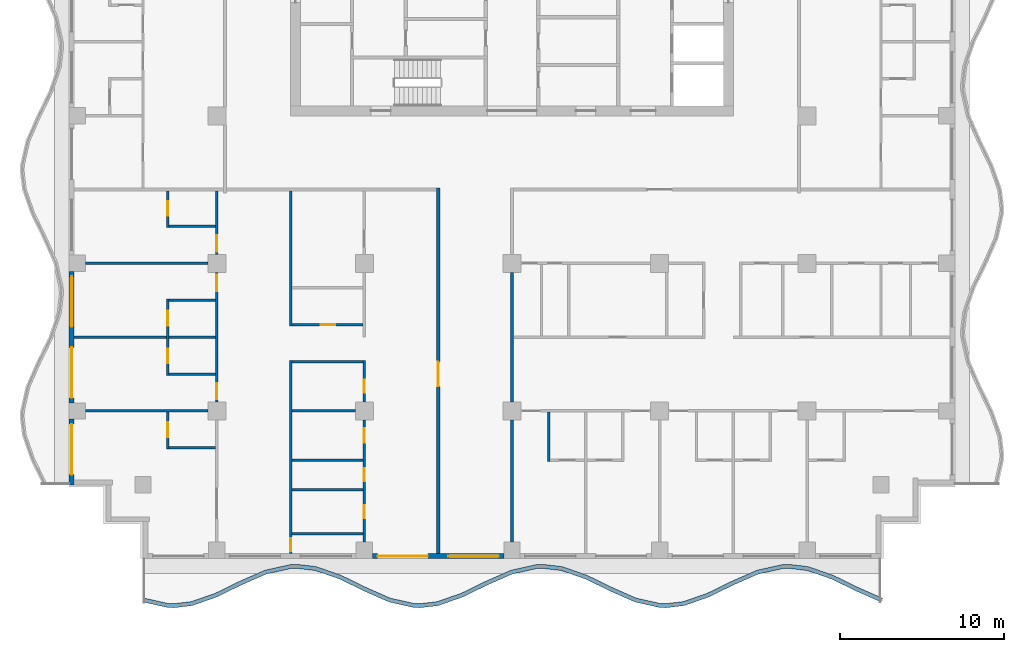
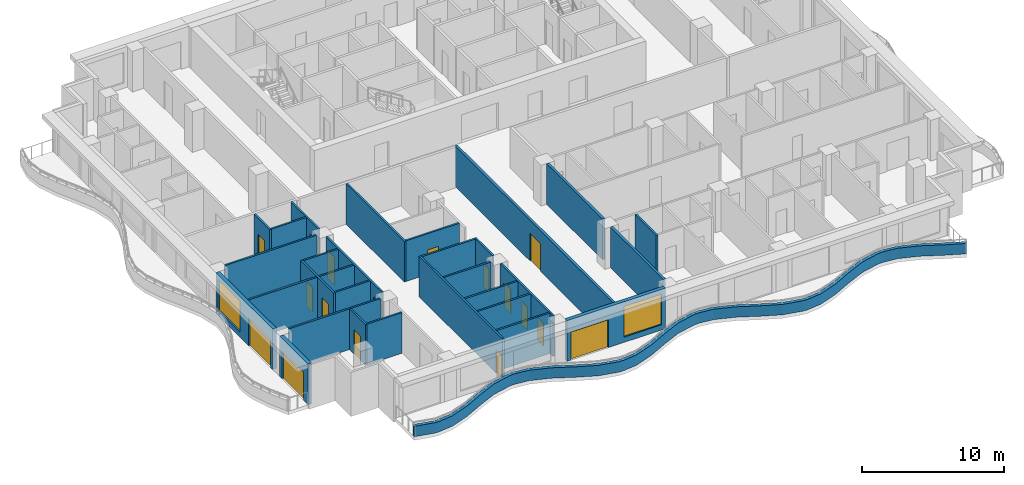
# One storey, part 2 of 12: 31 walls, 17 doors, 2 windows, 19 openings.
"""IFC4 building model written with IfcOpenShell, lengths in metres."""

from ifc_helpers import new_model, si_unit, direction, frame, frame_2d, origin, place, context, subcontext, project, spatial, polyline, rectangle, outline, extrude, material, layer, layer_set, type_object, element, fill, save


model = new_model("IFC4")

# Units and contexts
model_context = context("Model", 3, precision=1e-05, world=origin(), true_north=direction((0.0, 1.0)))
body_context = subcontext(model_context, "Body", "Model", "MODEL_VIEW")
ifc_project = project(units=[si_unit("LENGTHUNIT", "METRE"), si_unit("AREAUNIT", "SQUARE_METRE"), si_unit("VOLUMEUNIT", "CUBIC_METRE"), si_unit("PLANEANGLEUNIT", "RADIAN"), si_unit("MASSUNIT", "GRAM", prefix="KILO")], contexts=[model_context])

# Site, building, storey
site_placement = place(None, origin())
site = spatial("IfcSite", under=ifc_project, at=site_placement, CompositionType="ELEMENT")
building_placement = place(site_placement, origin())
building = spatial("IfcBuilding", under=site, at=building_placement, Name="Orbiselva Terraces", CompositionType="ELEMENT")
storey_placement = place(building_placement, frame((0.0, 0.0, 214.8)))
storey = spatial("IfcBuildingStorey", under=building, at=storey_placement, Name="L54", CompositionType="ELEMENT", Elevation=214.8)

# Wall
ifc_material_1 = material(Name="Concrete C40/50", Category="concrete")
ifc_layer_1 = layer(ifc_material_1, 0.25)
ifc_layer_set_1 = layer_set([ifc_layer_1], Name="Concrete C40/50")
wall_type_1 = type_object("IfcWallType", Name="ENV-PLANTER-250x900", PredefinedType="USERDEFINED", material=ifc_layer_set_1)
wall_1_placement = place(storey_placement, origin())
element("IfcWall", 1, at=wall_1_placement, inside=storey, type_object=wall_type_1, Name="Balcony planter L54 S", ObjectType="PLANTER", PredefinedType="USERDEFINED", context=body_context, shape_type="SweptSolid", body=[
    extrude(outline(polyline([(-22.5, -25.148528), (-21.0, -25.485226), (-20.625, -25.5), (-19.5, -25.369208), (-18.0, -24.844789), (-16.5, -24.112279), (-15.0, -23.451472), (-13.5, -23.114774), (-13.125, -23.1), (-12.0, -23.230792), (-10.5, -23.755211), (-9.0, -24.487721), (-7.5, -25.148528), (-6.0, -25.485226), (-5.625, -25.5), (-4.5, -25.369208), (-3.0, -24.844789), (-1.5, -24.112279), (0.0, -23.451472), (1.5, -23.114774), (1.875, -23.1), (3.0, -23.230792), (4.5, -23.755211), (6.0, -24.487721), (7.5, -25.148528), (9.0, -25.485226), (9.375, -25.5), (10.5, -25.369208), (12.0, -24.844789), (13.5, -24.112279), (15.0, -23.451472), (16.5, -23.114774), (16.875, -23.1), (18.0, -23.230792), (19.5, -23.755211), (21.0, -24.487721), (22.5, -25.148528), (22.600788, -24.919745), (21.105286, -24.260919), (19.59644, -23.524089), (18.056371, -22.985662), (16.884572, -22.849429), (16.467435, -22.865863), (14.921492, -23.212874), (13.394714, -23.885477), (11.90356, -24.613667), (10.443629, -25.124078), (9.365428, -25.249429), (9.032565, -25.236315), (7.578508, -24.90993), (6.105286, -24.260919), (4.59644, -23.524089), (3.056371, -22.985662), (1.884572, -22.849429), (1.467435, -22.865863), (-0.078508, -23.212874), (-1.605286, -23.885477), (-3.09644, -24.613667), (-4.556371, -25.124078), (-5.634572, -25.249429), (-5.967435, -25.236315), (-7.421492, -24.90993), (-8.894714, -24.260919), (-10.40356, -23.524089), (-11.943629, -22.985662), (-13.115428, -22.849429), (-13.532565, -22.865863), (-15.078508, -23.212874), (-16.605286, -23.885477), (-18.09644, -24.613667), (-19.556371, -25.124078), (-20.634572, -25.249429), (-20.967435, -25.236315), (-22.445246, -24.904598), (-22.5, -25.148528)])), origin(), (0.0, 0.0, 1.0), 0.9),
])

# Wall, openings, door, window
ifc_material_2 = material(Name="Terracotta cladding on masonry backing", Category="masonry")
ifc_layer_2 = layer(ifc_material_2, 0.3)
ifc_layer_set_2 = layer_set([ifc_layer_2], Name="Terracotta cladding on masonry backing")
wall_type_2 = type_object("IfcWallType", Name="ENV-WALL-TERRACOTTA-300", PredefinedType="SOLIDWALL", material=ifc_layer_set_2)
wall_2_placement = place(storey_placement, frame((-0.5, -22.35, 0.0), z_axis=(0.0, 0.0, 1.0), x_axis=(-1.0, 0.0, 0.0)))
wall_2 = element("IfcWall", 2, at=wall_2_placement, inside=storey, type_object=wall_type_2, Name="Facade wall L54 S", PredefinedType="SOLIDWALL", context=body_context, shape_type="SweptSolid", body=[
    extrude(rectangle(XDim=8.0, YDim=0.3, at=frame_2d((4.0, 0.0))), origin(), (0.0, 0.0, 1.0), 3.5),
])
opening_1_placement = place(wall_2_placement, frame((4.625, 0.0, 0.0)))
opening_1 = element("IfcOpeningElement", 3, at=opening_1_placement, cuts=wall_2, Name="Opening Z4-C-E18", PredefinedType="OPENING", context=body_context, shape_type="SweptSolid", body=[
    extrude(rectangle(XDim=3.075, YDim=2.4, at=frame_2d((1.5375, 1.2))), frame((0.0, 0.16, 0.0), z_axis=(0.0, -1.0, 0.0), x_axis=(1.0, 0.0, 0.0)), (0.0, 0.0, 1.0), 0.32),
])
opening_2_placement = place(wall_2_placement, frame((0.3, 0.0, 0.45)))
opening_2 = element("IfcOpeningElement", 4, at=opening_2_placement, cuts=wall_2, Name="Opening WN15", PredefinedType="OPENING", context=body_context, shape_type="SweptSolid", body=[
    extrude(rectangle(XDim=3.075, YDim=2.65, at=frame_2d((1.5375, 1.325))), frame((0.0, 0.16, 0.0), z_axis=(0.0, -1.0, 0.0), x_axis=(1.0, 0.0, 0.0)), (0.0, 0.0, 1.0), 0.32),
])
ifc_material_3 = material(Name="Clear low-e glazing in aluminium frame", Category="aluminium")
door_type_1 = type_object("IfcDoorType", Name="BALCONY DOOR 3075 X 2400", OperationType="DOUBLE_DOOR_SLIDING", PredefinedType="DOOR", material=ifc_material_3)
door_1_placement = place(opening_1_placement, origin())
door_1 = element("IfcDoor", 5, at=door_1_placement, inside=storey, type_object=door_type_1, Name="Z4-C-E18", OperationType="SINGLE_SWING_LEFT", OverallHeight=2.4, OverallWidth=3.075, PredefinedType="DOOR", context=body_context, shape_type="SweptSolid", body=[
    extrude(rectangle(XDim=3.075, YDim=2.4, at=frame_2d((1.5375, 1.2))), frame((0.0, 0.025, 0.0), z_axis=(0.0, -1.0, 0.0), x_axis=(1.0, 0.0, 0.0)), (0.0, 0.0, 1.0), 0.05),
])
fill(opening_1, door_1)
window_type = type_object("IfcWindowType", Name="WINDOW 3075 X 2650 S450", PartitioningType="TRIPLE_PANEL_VERTICAL", PredefinedType="WINDOW", material=ifc_material_3)
window_1_placement = place(opening_2_placement, origin())
window_1 = element("IfcWindow", 6, at=window_1_placement, inside=storey, type_object=window_type, Name="Window L54 S", OverallHeight=2.65, OverallWidth=3.075, PartitioningType="SINGLE_PANEL", PredefinedType="WINDOW", context=body_context, shape_type="SweptSolid", body=[
    extrude(rectangle(XDim=3.075, YDim=2.65, at=frame_2d((1.5375, 1.325))), frame((0.0, 0.03, 0.0), z_axis=(0.0, -1.0, 0.0), x_axis=(1.0, 0.0, 0.0)), (0.0, 0.0, 1.0), 0.06),
])
fill(opening_2, window_1)

wall_3_placement = place(storey_placement, frame((-26.85, -13.0, 0.0), z_axis=(0.0, 0.0, 1.0), x_axis=(0.0, 1.0, 0.0)))
wall_3 = element("IfcWall", 7, at=wall_3_placement, inside=storey, type_object=wall_type_2, Name="Facade wall L54 W", PredefinedType="SOLIDWALL", context=body_context, shape_type="SweptSolid", body=[
    extrude(rectangle(XDim=8.0, YDim=0.3, at=frame_2d((4.0, 0.0))), origin(), (0.0, 0.0, 1.0), 3.5),
])
opening_3_placement = place(wall_3_placement, frame((4.625, 0.0, 0.45)))
opening_3 = element("IfcOpeningElement", 8, at=opening_3_placement, cuts=wall_3, Name="Opening WN15", PredefinedType="OPENING", context=body_context, shape_type="SweptSolid", body=[
    extrude(rectangle(XDim=3.075, YDim=2.65, at=frame_2d((1.5375, 1.325))), frame((0.0, 0.16, 0.0), z_axis=(0.0, -1.0, 0.0), x_axis=(1.0, 0.0, 0.0)), (0.0, 0.0, 1.0), 0.32),
])
opening_4_placement = place(wall_3_placement, frame((0.3, 0.0, 0.0)))
opening_4 = element("IfcOpeningElement", 9, at=opening_4_placement, cuts=wall_3, Name="Opening Z4-C-E23", PredefinedType="OPENING", context=body_context, shape_type="SweptSolid", body=[
    extrude(rectangle(XDim=3.075, YDim=2.4, at=frame_2d((1.5375, 1.2))), frame((0.0, 0.16, 0.0), z_axis=(0.0, -1.0, 0.0), x_axis=(1.0, 0.0, 0.0)), (0.0, 0.0, 1.0), 0.32),
])
door_2_placement = place(opening_4_placement, origin())
door_2 = element("IfcDoor", 10, at=door_2_placement, inside=storey, type_object=door_type_1, Name="Z4-C-E23", OperationType="SINGLE_SWING_LEFT", OverallHeight=2.4, OverallWidth=3.075, PredefinedType="DOOR", context=body_context, shape_type="SweptSolid", body=[
    extrude(rectangle(XDim=3.075, YDim=2.4, at=frame_2d((1.5375, 1.2))), frame((0.0, 0.025, 0.0), z_axis=(0.0, -1.0, 0.0), x_axis=(1.0, 0.0, 0.0)), (0.0, 0.0, 1.0), 0.05),
])
fill(opening_4, door_2)
window_2_placement = place(opening_3_placement, origin())
window_2 = element("IfcWindow", 11, at=window_2_placement, inside=storey, type_object=window_type, Name="Window L54 W", OverallHeight=2.65, OverallWidth=3.075, PartitioningType="SINGLE_PANEL", PredefinedType="WINDOW", context=body_context, shape_type="SweptSolid", body=[
    extrude(rectangle(XDim=3.075, YDim=2.65, at=frame_2d((1.5375, 1.325))), frame((0.0, 0.03, 0.0), z_axis=(0.0, -1.0, 0.0), x_axis=(1.0, 0.0, 0.0)), (0.0, 0.0, 1.0), 0.06),
])
fill(opening_3, window_2)

# Wall, opening, door
wall_4_placement = place(storey_placement, frame((-26.85, -18.0, 0.0), z_axis=(0.0, 0.0, 1.0), x_axis=(0.0, 1.0, 0.0)))
wall_4 = element("IfcWall", 12, at=wall_4_placement, inside=storey, type_object=wall_type_2, Name="Facade wall L54 W", PredefinedType="SOLIDWALL", context=body_context, shape_type="SweptSolid", body=[
    extrude(rectangle(XDim=4.0, YDim=0.3, at=frame_2d((2.0, 0.0))), origin(), (0.0, 0.0, 1.0), 3.5),
])
opening_5_placement = place(wall_4_placement, frame((0.625, 0.0, 0.0)))
opening_5 = element("IfcOpeningElement", 13, at=opening_5_placement, cuts=wall_4, Name="Opening Z4-C-E12", PredefinedType="OPENING", context=body_context, shape_type="SweptSolid", body=[
    extrude(rectangle(XDim=3.075, YDim=2.4, at=frame_2d((1.5375, 1.2))), frame((0.0, 0.16, 0.0), z_axis=(0.0, -1.0, 0.0), x_axis=(1.0, 0.0, 0.0)), (0.0, 0.0, 1.0), 0.32),
])
door_3_placement = place(opening_5_placement, origin())
door_3 = element("IfcDoor", 14, at=door_3_placement, inside=storey, type_object=door_type_1, Name="Z4-C-E12", OperationType="SINGLE_SWING_LEFT", OverallHeight=2.4, OverallWidth=3.075, PredefinedType="DOOR", context=body_context, shape_type="SweptSolid", body=[
    extrude(rectangle(XDim=3.075, YDim=2.4, at=frame_2d((1.5375, 1.2))), frame((0.0, 0.025, 0.0), z_axis=(0.0, -1.0, 0.0), x_axis=(1.0, 0.0, 0.0)), (0.0, 0.0, 1.0), 0.05),
])
fill(opening_5, door_3)

ifc_material_4 = material(Name="Plasterboard on steel stud partition", Category="steel")
ifc_layer_3 = layer(ifc_material_4, 0.2)
ifc_layer_set_3 = layer_set([ifc_layer_3], Name="Plasterboard on steel stud partition")
wall_type_3 = type_object("IfcWallType", Name="UNIT-ENTRANCE-WALL-200", PredefinedType="PARTITIONING", material=ifc_layer_set_3)
wall_5_placement = place(storey_placement, frame((-4.5, -22.2, 0.0), z_axis=(0.0, 0.0, 1.0), x_axis=(0.0, 1.0, 0.0)))
wall_5 = element("IfcWall", 15, at=wall_5_placement, inside=storey, type_object=wall_type_3, Name="PARTITION L54-068", PredefinedType="PARTITIONING", context=body_context, shape_type="SweptSolid", body=[
    extrude(rectangle(XDim=22.3, YDim=0.2, at=frame_2d((11.15, 0.0))), origin(), (0.0, 0.0, 1.0), 3.5),
])
opening_6_placement = place(wall_5_placement, frame((10.2, 0.0, 0.0)))
opening_6 = element("IfcOpeningElement", 16, at=opening_6_placement, cuts=wall_5, Name="Opening Z4-C-18", PredefinedType="OPENING", context=body_context, shape_type="SweptSolid", body=[
    extrude(rectangle(XDim=1.5, YDim=2.4, at=frame_2d((0.75, 1.2))), frame((0.0, 0.11, 0.0), z_axis=(0.0, -1.0, 0.0), x_axis=(1.0, 0.0, 0.0)), (0.0, 0.0, 1.0), 0.22),
])
ifc_material_5 = material(Name="Painted timber door leaf", Category="wood")
door_type_2 = type_object("IfcDoorType", Name="ENTRANCE DOUBLE DOOR 1500", OperationType="NOTDEFINED", PredefinedType="DOOR", material=ifc_material_5)
door_4_placement = place(opening_6_placement, origin())
door_4 = element("IfcDoor", 17, at=door_4_placement, inside=storey, type_object=door_type_2, Name="Z4-C-18", OperationType="DOUBLE_DOOR_SINGLE_SWING", OverallHeight=2.4, OverallWidth=1.5, PredefinedType="DOOR", context=body_context, shape_type="SweptSolid", body=[
    extrude(rectangle(XDim=1.5, YDim=2.4, at=frame_2d((0.75, 1.2))), frame((0.0, 0.025, 0.0), z_axis=(0.0, -1.0, 0.0), x_axis=(1.0, 0.0, 0.0)), (0.0, 0.0, 1.0), 0.05),
])
fill(opening_6, door_4)

# Walls
wall_6_placement = place(storey_placement, frame((0.0, -21.5, 0.0), z_axis=(0.0, 0.0, 1.0), x_axis=(0.0, 1.0, 0.0)))
element("IfcWall", 18, at=wall_6_placement, inside=storey, type_object=wall_type_3, Name="PARTITION L54-069", PredefinedType="PARTITIONING", context=body_context, shape_type="SweptSolid", body=[
    extrude(rectangle(XDim=7.45, YDim=0.2, at=frame_2d((3.725, 0.0))), origin(), (0.0, 0.0, 1.0), 3.5),
])
wall_7_placement = place(storey_placement, frame((0.0, -12.95, 0.0), z_axis=(0.0, 0.0, 1.0), x_axis=(0.0, 1.0, 0.0)))
element("IfcWall", 19, at=wall_7_placement, inside=storey, type_object=wall_type_3, Name="PARTITION L54-070", PredefinedType="PARTITIONING", context=body_context, shape_type="SweptSolid", body=[
    extrude(rectangle(XDim=7.9, YDim=0.2, at=frame_2d((3.95, 0.0))), origin(), (0.0, 0.0, 1.0), 3.5),
])
ifc_layer_4 = layer(ifc_material_4, 0.15)
ifc_layer_set_4 = layer_set([ifc_layer_4], Name="Plasterboard on steel stud partition")
wall_type_4 = type_object("IfcWallType", Name="UNIT-PARTITION-150", PredefinedType="PARTITIONING", material=ifc_layer_set_4)
for number, where, z_axis, x_axis, name in (
    (20, (-13.425, -21.0, 0.0), (0.0, 0.0, 1.0), (1.0, 0.0, 0.0), "PARTITION L54-001"),
    (21, (-13.425, -18.3, 0.0), (0.0, 0.0, 1.0), (1.0, 0.0, 0.0), "PARTITION L54-002"),
    (22, (-13.425, -16.5, 0.0), (0.0, 0.0, 1.0), (1.0, 0.0, 0.0), "PARTITION L54-003"),
):
    element("IfcWall", number, at=place(storey_placement, frame(where, z_axis=z_axis, x_axis=x_axis)), inside=storey, type_object=wall_type_4, Name=name, PredefinedType="PARTITIONING", context=body_context, shape_type="SweptSolid", body=[
        extrude(rectangle(XDim=4.35, YDim=0.15, at=frame_2d((2.175, 0.0))), origin(), (0.0, 0.0, 1.0), 3.5),
    ])
wall_8_placement = place(storey_placement, frame((-20.925, -15.75, 0.0), z_axis=(0.0, 0.0, 1.0), x_axis=(1.0, 0.0, 0.0)))
element("IfcWall", 23, at=wall_8_placement, inside=storey, type_object=wall_type_4, Name="PARTITION L54-009", PredefinedType="PARTITIONING", context=body_context, shape_type="SweptSolid", body=[
    extrude(rectangle(XDim=2.85, YDim=0.15, at=frame_2d((1.425, 0.0))), origin(), (0.0, 0.0, 1.0), 3.5),
])
wall_9_placement = place(storey_placement, frame((-26.0, -13.5, 0.0), z_axis=(0.0, 0.0, 1.0), x_axis=(1.0, 0.0, 0.0)))
element("IfcWall", 24, at=wall_9_placement, inside=storey, type_object=wall_type_4, Name="PARTITION L54-010", PredefinedType="PARTITIONING", context=body_context, shape_type="SweptSolid", body=[
    extrude(rectangle(XDim=7.45, YDim=0.15, at=frame_2d((3.725, 0.0))), origin(), (0.0, 0.0, 1.0), 3.5),
])
wall_10_placement = place(storey_placement, frame((-13.425, -13.5, 0.0), z_axis=(0.0, 0.0, 1.0), x_axis=(1.0, 0.0, 0.0)))
element("IfcWall", 25, at=wall_10_placement, inside=storey, type_object=wall_type_4, Name="PARTITION L54-011", PredefinedType="PARTITIONING", context=body_context, shape_type="SweptSolid", body=[
    extrude(rectangle(XDim=3.875, YDim=0.15, at=frame_2d((1.9375, 0.0))), origin(), (0.0, 0.0, 1.0), 3.5),
])
wall_11_placement = place(storey_placement, frame((-20.925, -11.25, 0.0), z_axis=(0.0, 0.0, 1.0), x_axis=(1.0, 0.0, 0.0)))
element("IfcWall", 26, at=wall_11_placement, inside=storey, type_object=wall_type_4, Name="PARTITION L54-015", PredefinedType="PARTITIONING", context=body_context, shape_type="SweptSolid", body=[
    extrude(rectangle(XDim=2.85, YDim=0.15, at=frame_2d((1.425, 0.0))), origin(), (0.0, 0.0, 1.0), 3.5),
])
wall_12_placement = place(storey_placement, frame((-13.425, -10.5, 0.0), z_axis=(0.0, 0.0, 1.0), x_axis=(1.0, 0.0, 0.0)))
element("IfcWall", 27, at=wall_12_placement, inside=storey, type_object=wall_type_4, Name="PARTITION L54-016", PredefinedType="PARTITIONING", context=body_context, shape_type="SweptSolid", body=[
    extrude(rectangle(XDim=4.35, YDim=0.15, at=frame_2d((2.175, 0.0))), origin(), (0.0, 0.0, 1.0), 3.5),
])
wall_13_placement = place(storey_placement, frame((-26.7, -9.0, 0.0), z_axis=(0.0, 0.0, 1.0), x_axis=(1.0, 0.0, 0.0)))
element("IfcWall", 28, at=wall_13_placement, inside=storey, type_object=wall_type_4, Name="PARTITION L54-017", PredefinedType="PARTITIONING", context=body_context, shape_type="SweptSolid", body=[
    extrude(rectangle(XDim=5.625, YDim=0.15, at=frame_2d((2.8125, 0.0))), origin(), (0.0, 0.0, 1.0), 3.5),
])
wall_14_placement = place(storey_placement, frame((-20.925, -9.0, 0.0), z_axis=(0.0, 0.0, 1.0), x_axis=(1.0, 0.0, 0.0)))
element("IfcWall", 29, at=wall_14_placement, inside=storey, type_object=wall_type_4, Name="PARTITION L54-018", PredefinedType="PARTITIONING", context=body_context, shape_type="SweptSolid", body=[
    extrude(rectangle(XDim=2.85, YDim=0.15, at=frame_2d((1.425, 0.0))), origin(), (0.0, 0.0, 1.0), 3.5),
])

# Wall, opening, door
wall_15_placement = place(storey_placement, frame((-13.425, -8.25, 0.0), z_axis=(0.0, 0.0, 1.0), x_axis=(1.0, 0.0, 0.0)))
wall_15 = element("IfcWall", 30, at=wall_15_placement, inside=storey, type_object=wall_type_4, Name="PARTITION L54-021", PredefinedType="PARTITIONING", context=body_context, shape_type="SweptSolid", body=[
    extrude(rectangle(XDim=4.35, YDim=0.15, at=frame_2d((2.175, 0.0))), origin(), (0.0, 0.0, 1.0), 3.5),
])
opening_7_placement = place(wall_15_placement, frame((1.75, 0.0, 0.0)))
opening_7 = element("IfcOpeningElement", 31, at=opening_7_placement, cuts=wall_15, Name="Opening Z4-C-20", PredefinedType="OPENING", context=body_context, shape_type="SweptSolid", body=[
    extrude(rectangle(XDim=0.9, YDim=2.1, at=frame_2d((0.45, 1.05))), frame((0.0, 0.085, 0.0), z_axis=(0.0, -1.0, 0.0), x_axis=(1.0, 0.0, 0.0)), (0.0, 0.0, 1.0), 0.17),
])
door_type_3 = type_object("IfcDoorType", Name="BATH DOOR 900", OperationType="NOTDEFINED", PredefinedType="DOOR", material=ifc_material_5)
door_5_placement = place(opening_7_placement, origin())
door_5 = element("IfcDoor", 32, at=door_5_placement, inside=storey, type_object=door_type_3, Name="Z4-C-20", OperationType="SINGLE_SWING_RIGHT", OverallHeight=2.1, OverallWidth=0.9, PredefinedType="DOOR", context=body_context, shape_type="SweptSolid", body=[
    extrude(rectangle(XDim=0.9, YDim=2.1, at=frame_2d((0.45, 1.05))), frame((0.0, 0.025, 0.0), z_axis=(0.0, -1.0, 0.0), x_axis=(1.0, 0.0, 0.0)), (0.0, 0.0, 1.0), 0.05),
])
fill(opening_7, door_5)

# Walls
wall_16_placement = place(storey_placement, frame((-20.925, -6.75, 0.0), z_axis=(0.0, 0.0, 1.0), x_axis=(1.0, 0.0, 0.0)))
element("IfcWall", 33, at=wall_16_placement, inside=storey, type_object=wall_type_4, Name="PARTITION L54-022", PredefinedType="PARTITIONING", context=body_context, shape_type="SweptSolid", body=[
    extrude(rectangle(XDim=2.85, YDim=0.15, at=frame_2d((1.425, 0.0))), origin(), (0.0, 0.0, 1.0), 3.5),
])
wall_17_placement = place(storey_placement, frame((-26.0, -4.5, 0.0), z_axis=(0.0, 0.0, 1.0), x_axis=(1.0, 0.0, 0.0)))
element("IfcWall", 34, at=wall_17_placement, inside=storey, type_object=wall_type_4, Name="PARTITION L54-024", PredefinedType="PARTITIONING", context=body_context, shape_type="SweptSolid", body=[
    extrude(rectangle(XDim=7.45, YDim=0.15, at=frame_2d((3.725, 0.0))), origin(), (0.0, 0.0, 1.0), 3.5),
])
wall_18_placement = place(storey_placement, frame((-20.925, -2.25, 0.0), z_axis=(0.0, 0.0, 1.0), x_axis=(1.0, 0.0, 0.0)))
element("IfcWall", 35, at=wall_18_placement, inside=storey, type_object=wall_type_4, Name="PARTITION L54-029", PredefinedType="PARTITIONING", context=body_context, shape_type="SweptSolid", body=[
    extrude(rectangle(XDim=2.85, YDim=0.15, at=frame_2d((1.425, 0.0))), origin(), (0.0, 0.0, 1.0), 3.5),
])

# Wall, opening, door
wall_19_placement = place(storey_placement, frame((-21.0, -13.575, 0.0), z_axis=(0.0, 0.0, 1.0), x_axis=(0.0, -1.0, 0.0)))
wall_19 = element("IfcWall", 36, at=wall_19_placement, inside=storey, type_object=wall_type_4, Name="PARTITION L54-053", PredefinedType="PARTITIONING", context=body_context, shape_type="SweptSolid", body=[
    extrude(rectangle(XDim=2.25, YDim=0.15, at=frame_2d((1.125, 0.0))), origin(), (0.0, 0.0, 1.0), 3.5),
])
opening_8_placement = place(wall_19_placement, frame((0.625, 0.0, 0.0)))
opening_8 = element("IfcOpeningElement", 37, at=opening_8_placement, cuts=wall_19, Name="Opening Z4-C-33", PredefinedType="OPENING", context=body_context, shape_type="SweptSolid", body=[
    extrude(rectangle(XDim=0.9, YDim=2.1, at=frame_2d((0.45, 1.05))), frame((0.0, 0.085, 0.0), z_axis=(0.0, -1.0, 0.0), x_axis=(1.0, 0.0, 0.0)), (0.0, 0.0, 1.0), 0.17),
])
door_6_placement = place(opening_8_placement, origin())
door_6 = element("IfcDoor", 38, at=door_6_placement, inside=storey, type_object=door_type_3, Name="Z4-C-33", OperationType="SINGLE_SWING_LEFT", OverallHeight=2.1, OverallWidth=0.9, PredefinedType="DOOR", context=body_context, shape_type="SweptSolid", body=[
    extrude(rectangle(XDim=0.9, YDim=2.1, at=frame_2d((0.45, 1.05))), frame((0.0, 0.025, 0.0), z_axis=(0.0, -1.0, 0.0), x_axis=(1.0, 0.0, 0.0)), (0.0, 0.0, 1.0), 0.05),
])
fill(opening_8, door_6)

# Wall, openings, doors
wall_20_placement = place(storey_placement, frame((-21.0, -6.675, 0.0), z_axis=(0.0, 0.0, 1.0), x_axis=(0.0, -1.0, 0.0)))
wall_20 = element("IfcWall", 39, at=wall_20_placement, inside=storey, type_object=wall_type_4, Name="PARTITION L54-054", PredefinedType="PARTITIONING", context=body_context, shape_type="SweptSolid", body=[
    extrude(rectangle(XDim=4.65, YDim=0.15, at=frame_2d((2.325, 0.0))), origin(), (0.0, 0.0, 1.0), 3.5),
])
opening_9_placement = place(wall_20_placement, frame((0.725, 0.0, 0.0)))
opening_9 = element("IfcOpeningElement", 40, at=opening_9_placement, cuts=wall_20, Name="Opening Z4-C-29", PredefinedType="OPENING", context=body_context, shape_type="SweptSolid", body=[
    extrude(rectangle(XDim=0.9, YDim=2.1, at=frame_2d((0.45, 1.05))), frame((0.0, 0.085, 0.0), z_axis=(0.0, -1.0, 0.0), x_axis=(1.0, 0.0, 0.0)), (0.0, 0.0, 1.0), 0.17),
])
opening_10_placement = place(wall_20_placement, frame((3.025, 0.0, 0.0)))
opening_10 = element("IfcOpeningElement", 41, at=opening_10_placement, cuts=wall_20, Name="Opening Z4-C-31", PredefinedType="OPENING", context=body_context, shape_type="SweptSolid", body=[
    extrude(rectangle(XDim=0.9, YDim=2.1, at=frame_2d((0.45, 1.05))), frame((0.0, 0.085, 0.0), z_axis=(0.0, -1.0, 0.0), x_axis=(1.0, 0.0, 0.0)), (0.0, 0.0, 1.0), 0.17),
])
door_7_placement = place(opening_9_placement, origin())
door_7 = element("IfcDoor", 42, at=door_7_placement, inside=storey, type_object=door_type_3, Name="Z4-C-29", OperationType="SINGLE_SWING_LEFT", OverallHeight=2.1, OverallWidth=0.9, PredefinedType="DOOR", context=body_context, shape_type="SweptSolid", body=[
    extrude(rectangle(XDim=0.9, YDim=2.1, at=frame_2d((0.45, 1.05))), frame((0.0, 0.025, 0.0), z_axis=(0.0, -1.0, 0.0), x_axis=(1.0, 0.0, 0.0)), (0.0, 0.0, 1.0), 0.05),
])
fill(opening_9, door_7)
door_8_placement = place(opening_10_placement, origin())
door_8 = element("IfcDoor", 43, at=door_8_placement, inside=storey, type_object=door_type_3, Name="Z4-C-31", OperationType="SINGLE_SWING_RIGHT", OverallHeight=2.1, OverallWidth=0.9, PredefinedType="DOOR", context=body_context, shape_type="SweptSolid", body=[
    extrude(rectangle(XDim=0.9, YDim=2.1, at=frame_2d((0.45, 1.05))), frame((0.0, 0.025, 0.0), z_axis=(0.0, -1.0, 0.0), x_axis=(1.0, 0.0, 0.0)), (0.0, 0.0, 1.0), 0.05),
])
fill(opening_10, door_8)

# Wall, opening, door
wall_21_placement = place(storey_placement, frame((-21.0, -0.1, 0.0), z_axis=(0.0, 0.0, 1.0), x_axis=(0.0, -1.0, 0.0)))
wall_21 = element("IfcWall", 44, at=wall_21_placement, inside=storey, type_object=wall_type_4, Name="PARTITION L54-055", PredefinedType="PARTITIONING", context=body_context, shape_type="SweptSolid", body=[
    extrude(rectangle(XDim=2.225, YDim=0.15, at=frame_2d((1.1125, 0.0))), origin(), (0.0, 0.0, 1.0), 3.5),
])
opening_11_placement = place(wall_21_placement, frame((0.6, 0.0, 0.0)))
opening_11 = element("IfcOpeningElement", 45, at=opening_11_placement, cuts=wall_21, Name="Opening Z4-C-27", PredefinedType="OPENING", context=body_context, shape_type="SweptSolid", body=[
    extrude(rectangle(XDim=0.9, YDim=2.1, at=frame_2d((0.45, 1.05))), frame((0.0, 0.085, 0.0), z_axis=(0.0, -1.0, 0.0), x_axis=(1.0, 0.0, 0.0)), (0.0, 0.0, 1.0), 0.17),
])
door_9_placement = place(opening_11_placement, origin())
door_9 = element("IfcDoor", 46, at=door_9_placement, inside=storey, type_object=door_type_3, Name="Z4-C-27", OperationType="SINGLE_SWING_LEFT", OverallHeight=2.1, OverallWidth=0.9, PredefinedType="DOOR", context=body_context, shape_type="SweptSolid", body=[
    extrude(rectangle(XDim=0.9, YDim=2.1, at=frame_2d((0.45, 1.05))), frame((0.0, 0.025, 0.0), z_axis=(0.0, -1.0, 0.0), x_axis=(1.0, 0.0, 0.0)), (0.0, 0.0, 1.0), 0.05),
])
fill(opening_11, door_9)

# Wall, openings, doors
wall_22_placement = place(storey_placement, frame((-18.0, -12.95, 0.0), z_axis=(0.0, 0.0, 1.0), x_axis=(0.0, 1.0, 0.0)))
wall_22 = element("IfcWall", 47, at=wall_22_placement, inside=storey, type_object=wall_type_4, Name="PARTITION L54-057", PredefinedType="PARTITIONING", context=body_context, shape_type="SweptSolid", body=[
    extrude(rectangle(XDim=7.9, YDim=0.15, at=frame_2d((3.95, 0.0))), origin(), (0.0, 0.0, 1.0), 3.5),
])
opening_12_placement = place(wall_22_placement, frame((6.75, 0.0, 0.0)))
opening_12 = element("IfcOpeningElement", 48, at=opening_12_placement, cuts=wall_22, Name="Opening Z4-C-28", PredefinedType="OPENING", context=body_context, shape_type="SweptSolid", body=[
    extrude(rectangle(XDim=1.0, YDim=2.4, at=frame_2d((0.5, 1.2))), frame((0.0, 0.085, 0.0), z_axis=(0.0, -1.0, 0.0), x_axis=(1.0, 0.0, 0.0)), (0.0, 0.0, 1.0), 0.17),
])
opening_13_placement = place(wall_22_placement, frame((0.15, 0.0, 0.0)))
opening_13 = element("IfcOpeningElement", 49, at=opening_13_placement, cuts=wall_22, Name="Opening Z4-C-30", PredefinedType="OPENING", context=body_context, shape_type="SweptSolid", body=[
    extrude(rectangle(XDim=1.0, YDim=2.4, at=frame_2d((0.5, 1.2))), frame((0.0, 0.085, 0.0), z_axis=(0.0, -1.0, 0.0), x_axis=(1.0, 0.0, 0.0)), (0.0, 0.0, 1.0), 0.17),
])
door_type_4 = type_object("IfcDoorType", Name="ROOM DOOR 1000", OperationType="NOTDEFINED", PredefinedType="DOOR", material=ifc_material_5)
door_10_placement = place(opening_12_placement, origin())
door_10 = element("IfcDoor", 50, at=door_10_placement, inside=storey, type_object=door_type_4, Name="Z4-C-28", OperationType="SINGLE_SWING_RIGHT", OverallHeight=2.4, OverallWidth=1.0, PredefinedType="DOOR", context=body_context, shape_type="SweptSolid", body=[
    extrude(rectangle(XDim=1.0, YDim=2.4, at=frame_2d((0.5, 1.2))), frame((0.0, 0.025, 0.0), z_axis=(0.0, -1.0, 0.0), x_axis=(1.0, 0.0, 0.0)), (0.0, 0.0, 1.0), 0.05),
])
fill(opening_12, door_10)
door_11_placement = place(opening_13_placement, origin())
door_11 = element("IfcDoor", 51, at=door_11_placement, inside=storey, type_object=door_type_4, Name="Z4-C-30", OperationType="SINGLE_SWING_LEFT", OverallHeight=2.4, OverallWidth=1.0, PredefinedType="DOOR", context=body_context, shape_type="SweptSolid", body=[
    extrude(rectangle(XDim=1.0, YDim=2.4, at=frame_2d((0.5, 1.2))), frame((0.0, 0.025, 0.0), z_axis=(0.0, -1.0, 0.0), x_axis=(1.0, 0.0, 0.0)), (0.0, 0.0, 1.0), 0.05),
])
fill(opening_13, door_11)

# Wall, opening, door
wall_23_placement = place(storey_placement, frame((-18.0, -3.95, 0.0), z_axis=(0.0, 0.0, 1.0), x_axis=(0.0, 1.0, 0.0)))
wall_23 = element("IfcWall", 52, at=wall_23_placement, inside=storey, type_object=wall_type_4, Name="PARTITION L54-058", PredefinedType="PARTITIONING", context=body_context, shape_type="SweptSolid", body=[
    extrude(rectangle(XDim=3.85, YDim=0.15, at=frame_2d((1.925, 0.0))), origin(), (0.0, 0.0, 1.0), 3.5),
])
opening_14_placement = place(wall_23_placement, frame((0.15, 0.0, 0.0)))
opening_14 = element("IfcOpeningElement", 53, at=opening_14_placement, cuts=wall_23, Name="Opening Z4-C-26", PredefinedType="OPENING", context=body_context, shape_type="SweptSolid", body=[
    extrude(rectangle(XDim=1.0, YDim=2.4, at=frame_2d((0.5, 1.2))), frame((0.0, 0.085, 0.0), z_axis=(0.0, -1.0, 0.0), x_axis=(1.0, 0.0, 0.0)), (0.0, 0.0, 1.0), 0.17),
])
door_12_placement = place(opening_14_placement, origin())
door_12 = element("IfcDoor", 54, at=door_12_placement, inside=storey, type_object=door_type_4, Name="Z4-C-26", OperationType="SINGLE_SWING_LEFT", OverallHeight=2.4, OverallWidth=1.0, PredefinedType="DOOR", context=body_context, shape_type="SweptSolid", body=[
    extrude(rectangle(XDim=1.0, YDim=2.4, at=frame_2d((0.5, 1.2))), frame((0.0, 0.025, 0.0), z_axis=(0.0, -1.0, 0.0), x_axis=(1.0, 0.0, 0.0)), (0.0, 0.0, 1.0), 0.05),
])
fill(opening_14, door_12)

wall_24_placement = place(storey_placement, frame((-13.5, -10.425, 0.0), z_axis=(0.0, 0.0, 1.0), x_axis=(0.0, -1.0, 0.0)))
wall_24 = element("IfcWall", 55, at=wall_24_placement, inside=storey, type_object=wall_type_4, Name="PARTITION L54-062", PredefinedType="PARTITIONING", context=body_context, shape_type="SweptSolid", body=[
    extrude(rectangle(XDim=11.775, YDim=0.15, at=frame_2d((5.8875, 0.0))), origin(), (0.0, 0.0, 1.0), 3.5),
])
opening_15_placement = place(wall_24_placement, frame((10.825, 0.0, 0.0)))
opening_15 = element("IfcOpeningElement", 56, at=opening_15_placement, cuts=wall_24, Name="Opening Z4-C-25", PredefinedType="OPENING", context=body_context, shape_type="SweptSolid", body=[
    extrude(rectangle(XDim=0.8, YDim=2.0, at=frame_2d((0.4, 1.0))), frame((0.0, 0.085, 0.0), z_axis=(0.0, -1.0, 0.0), x_axis=(1.0, 0.0, 0.0)), (0.0, 0.0, 1.0), 0.17),
])
door_type_5 = type_object("IfcDoorType", Name="STORE DOOR 800", OperationType="NOTDEFINED", PredefinedType="DOOR", material=ifc_material_5)
door_13_placement = place(opening_15_placement, origin())
door_13 = element("IfcDoor", 57, at=door_13_placement, inside=storey, type_object=door_type_5, Name="Z4-C-25", OperationType="SINGLE_SWING_RIGHT", OverallHeight=2.0, OverallWidth=0.8, PredefinedType="DOOR", context=body_context, shape_type="SweptSolid", body=[
    extrude(rectangle(XDim=0.8, YDim=2.0, at=frame_2d((0.4, 1.0))), frame((0.0, 0.025, 0.0), z_axis=(0.0, -1.0, 0.0), x_axis=(1.0, 0.0, 0.0)), (0.0, 0.0, 1.0), 0.05),
])
fill(opening_15, door_13)

# Wall
wall_25_placement = place(storey_placement, frame((-13.5, -8.325, 0.0), z_axis=(0.0, 0.0, 1.0), x_axis=(0.0, 1.0, 0.0)))
element("IfcWall", 58, at=wall_25_placement, inside=storey, type_object=wall_type_4, Name="PARTITION L54-063", PredefinedType="PARTITIONING", context=body_context, shape_type="SweptSolid", body=[
    extrude(rectangle(XDim=8.225, YDim=0.15, at=frame_2d((4.1125, 0.0))), origin(), (0.0, 0.0, 1.0), 3.5),
])

# Wall, openings, doors
wall_26_placement = place(storey_placement, frame((-9.0, -21.5, 0.0), z_axis=(0.0, 0.0, 1.0), x_axis=(0.0, 1.0, 0.0)))
wall_26 = element("IfcWall", 59, at=wall_26_placement, inside=storey, type_object=wall_type_4, Name="PARTITION L54-064", PredefinedType="PARTITIONING", context=body_context, shape_type="SweptSolid", body=[
    extrude(rectangle(XDim=7.45, YDim=0.15, at=frame_2d((3.725, 0.0))), origin(), (0.0, 0.0, 1.0), 3.5),
])
opening_16_placement = place(wall_26_placement, frame((6.05, 0.0, 0.0)))
opening_16 = element("IfcOpeningElement", 60, at=opening_16_placement, cuts=wall_26, Name="Opening Z4-C-22", PredefinedType="OPENING", context=body_context, shape_type="SweptSolid", body=[
    extrude(rectangle(XDim=0.9, YDim=2.1, at=frame_2d((0.45, 1.05))), frame((0.0, 0.085, 0.0), z_axis=(0.0, -1.0, 0.0), x_axis=(1.0, 0.0, 0.0)), (0.0, 0.0, 1.0), 0.17),
])
opening_17_placement = place(wall_26_placement, frame((3.7, 0.0, 0.0)))
opening_17 = element("IfcOpeningElement", 61, at=opening_17_placement, cuts=wall_26, Name="Opening Z4-C-23", PredefinedType="OPENING", context=body_context, shape_type="SweptSolid", body=[
    extrude(rectangle(XDim=0.8, YDim=2.0, at=frame_2d((0.4, 1.0))), frame((0.0, 0.085, 0.0), z_axis=(0.0, -1.0, 0.0), x_axis=(1.0, 0.0, 0.0)), (0.0, 0.0, 1.0), 0.17),
])
opening_18_placement = place(wall_26_placement, frame((1.45, 0.0, 0.0)))
opening_18 = element("IfcOpeningElement", 62, at=opening_18_placement, cuts=wall_26, Name="Opening Z4-C-24", PredefinedType="OPENING", context=body_context, shape_type="SweptSolid", body=[
    extrude(rectangle(XDim=0.8, YDim=2.0, at=frame_2d((0.4, 1.0))), frame((0.0, 0.085, 0.0), z_axis=(0.0, -1.0, 0.0), x_axis=(1.0, 0.0, 0.0)), (0.0, 0.0, 1.0), 0.17),
])
door_type_6 = type_object("IfcDoorType", Name="SERVICE DOOR 900", OperationType="NOTDEFINED", PredefinedType="DOOR", material=ifc_material_5)
door_14_placement = place(opening_16_placement, origin())
door_14 = element("IfcDoor", 63, at=door_14_placement, inside=storey, type_object=door_type_6, Name="Z4-C-22", OperationType="SINGLE_SWING_RIGHT", OverallHeight=2.1, OverallWidth=0.9, PredefinedType="DOOR", context=body_context, shape_type="SweptSolid", body=[
    extrude(rectangle(XDim=0.9, YDim=2.1, at=frame_2d((0.45, 1.05))), frame((0.0, 0.025, 0.0), z_axis=(0.0, -1.0, 0.0), x_axis=(1.0, 0.0, 0.0)), (0.0, 0.0, 1.0), 0.05),
])
fill(opening_16, door_14)
door_15_placement = place(opening_17_placement, origin())
door_15 = element("IfcDoor", 64, at=door_15_placement, inside=storey, type_object=door_type_5, Name="Z4-C-23", OperationType="SINGLE_SWING_RIGHT", OverallHeight=2.0, OverallWidth=0.8, PredefinedType="DOOR", context=body_context, shape_type="SweptSolid", body=[
    extrude(rectangle(XDim=0.8, YDim=2.0, at=frame_2d((0.4, 1.0))), frame((0.0, 0.025, 0.0), z_axis=(0.0, -1.0, 0.0), x_axis=(1.0, 0.0, 0.0)), (0.0, 0.0, 1.0), 0.05),
])
fill(opening_17, door_15)
door_16_placement = place(opening_18_placement, origin())
door_16 = element("IfcDoor", 65, at=door_16_placement, inside=storey, type_object=door_type_5, Name="Z4-C-24", OperationType="SINGLE_SWING_LEFT", OverallHeight=2.0, OverallWidth=0.8, PredefinedType="DOOR", context=body_context, shape_type="SweptSolid", body=[
    extrude(rectangle(XDim=0.8, YDim=2.0, at=frame_2d((0.4, 1.0))), frame((0.0, 0.025, 0.0), z_axis=(0.0, -1.0, 0.0), x_axis=(1.0, 0.0, 0.0)), (0.0, 0.0, 1.0), 0.05),
])
fill(opening_18, door_16)

# Wall, opening, door
wall_27_placement = place(storey_placement, frame((-9.0, -12.95, 0.0), z_axis=(0.0, 0.0, 1.0), x_axis=(0.0, 1.0, 0.0)))
wall_27 = element("IfcWall", 66, at=wall_27_placement, inside=storey, type_object=wall_type_4, Name="PARTITION L54-065", PredefinedType="PARTITIONING", context=body_context, shape_type="SweptSolid", body=[
    extrude(rectangle(XDim=2.525, YDim=0.15, at=frame_2d((1.2625, 0.0))), origin(), (0.0, 0.0, 1.0), 3.5),
])
opening_19_placement = place(wall_27_placement, frame((0.55, 0.0, 0.0)))
opening_19 = element("IfcOpeningElement", 67, at=opening_19_placement, cuts=wall_27, Name="Opening Z4-C-21", PredefinedType="OPENING", context=body_context, shape_type="SweptSolid", body=[
    extrude(rectangle(XDim=0.8, YDim=2.0, at=frame_2d((0.4, 1.0))), frame((0.0, 0.085, 0.0), z_axis=(0.0, -1.0, 0.0), x_axis=(1.0, 0.0, 0.0)), (0.0, 0.0, 1.0), 0.17),
])
door_17_placement = place(opening_19_placement, origin())
door_17 = element("IfcDoor", 68, at=door_17_placement, inside=storey, type_object=door_type_5, Name="Z4-C-21", OperationType="SINGLE_SWING_LEFT", OverallHeight=2.0, OverallWidth=0.8, PredefinedType="DOOR", context=body_context, shape_type="SweptSolid", body=[
    extrude(rectangle(XDim=0.8, YDim=2.0, at=frame_2d((0.4, 1.0))), frame((0.0, 0.025, 0.0), z_axis=(0.0, -1.0, 0.0), x_axis=(1.0, 0.0, 0.0)), (0.0, 0.0, 1.0), 0.05),
])
fill(opening_19, door_17)

# Wall
wall_28_placement = place(storey_placement, frame((2.25, -16.575, 0.0), z_axis=(0.0, 0.0, 1.0), x_axis=(0.0, 1.0, 0.0)))
element("IfcWall", 69, at=wall_28_placement, inside=storey, type_object=wall_type_4, Name="PARTITION L54-073", PredefinedType="PARTITIONING", context=body_context, shape_type="SweptSolid", body=[
    extrude(rectangle(XDim=3.0, YDim=0.15, at=frame_2d((1.5, 0.0))), origin(), (0.0, 0.0, 1.0), 3.5),
])

save(model, "model.ifc")
